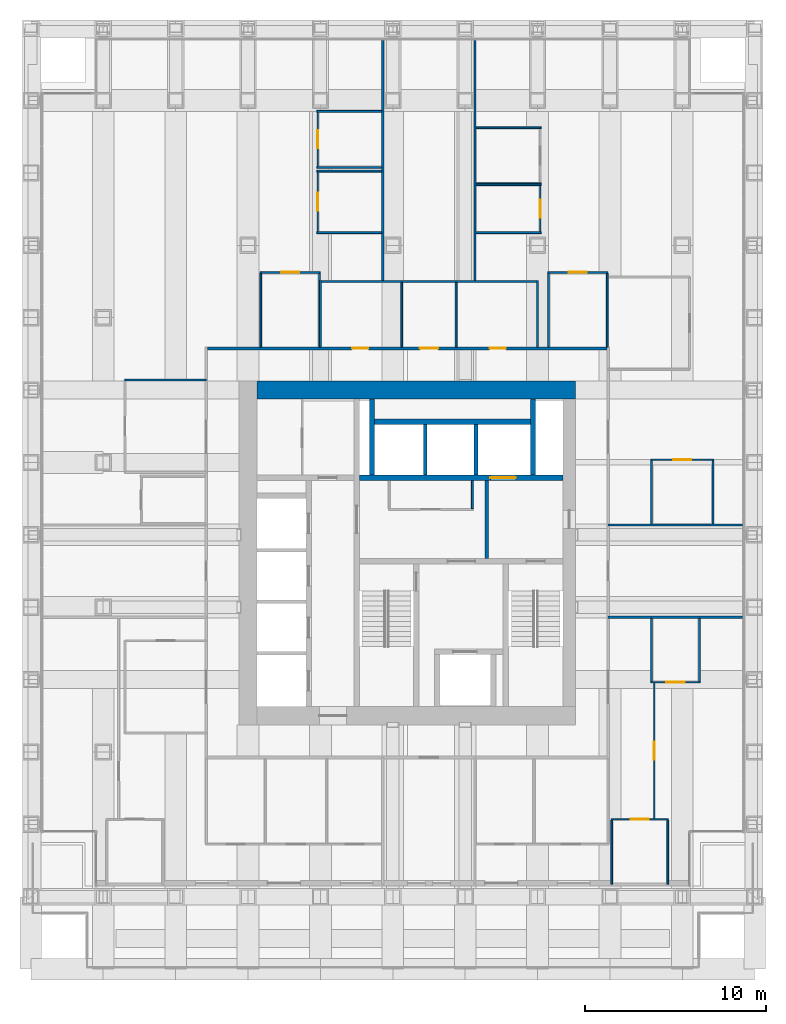
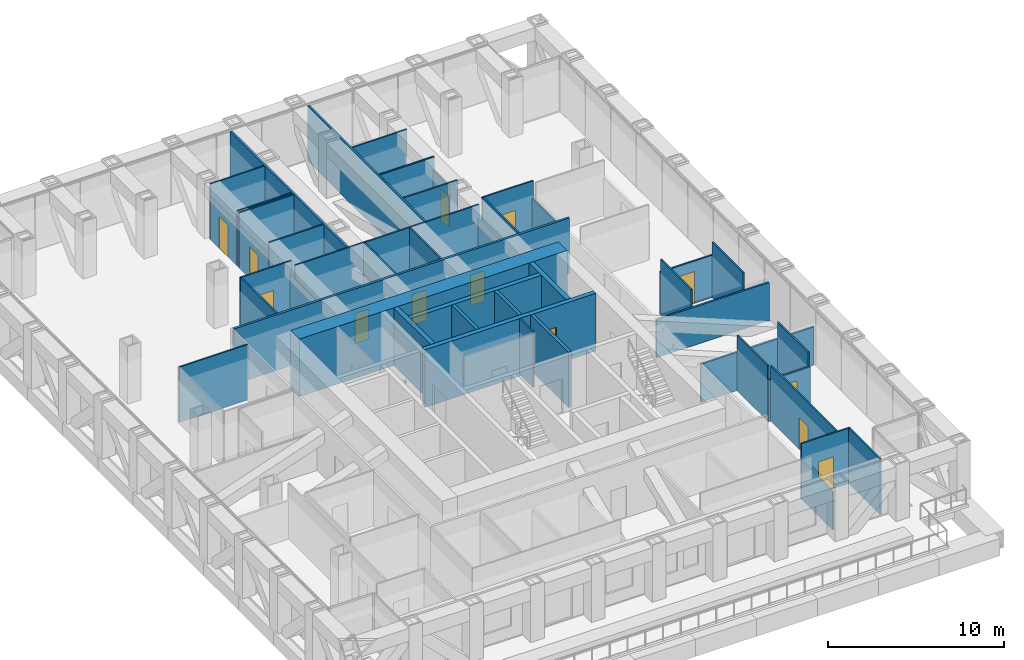
# One storey, part 12 of 16: 47 walls, 13 doors, 13 openings.
"""IFC4 building model written with IfcOpenShell, lengths in metres."""

from ifc_helpers import new_model, si_unit, direction, frame, frame_2d, origin, place, context, subcontext, project, spatial, rectangle, extrude, material, layer, layer_set, type_object, element, fill, save


model = new_model("IFC4")

# Units and contexts
model_context = context("Model", 3, precision=1e-05, world=origin(), true_north=direction((0.0, 1.0)))
body_context = subcontext(model_context, "Body", "Model", "MODEL_VIEW")
ifc_project = project(units=[si_unit("LENGTHUNIT", "METRE"), si_unit("AREAUNIT", "SQUARE_METRE"), si_unit("VOLUMEUNIT", "CUBIC_METRE"), si_unit("PLANEANGLEUNIT", "RADIAN"), si_unit("MASSUNIT", "GRAM", prefix="KILO")], contexts=[model_context])

# Site, building, storey
site_placement = place(None, origin())
site = spatial("IfcSite", under=ifc_project, at=site_placement, CompositionType="ELEMENT")
building_placement = place(site_placement, origin())
building = spatial("IfcBuilding", under=site, at=building_placement, Name="Rimbunsela Tower", CompositionType="ELEMENT")
storey_placement = place(building_placement, frame((0.0, 0.0, 171.800048828125)))
storey = spatial("IfcBuildingStorey", under=building, at=storey_placement, Name="L41", CompositionType="ELEMENT", Elevation=171.800048828125)

# Wall, opening, door
ifc_material_1 = material(Name="Concrete fc' 80 MPa", Category="concrete")
ifc_layer_1 = layer(ifc_material_1, 0.300048828125)
ifc_layer_set_1 = layer_set([ifc_layer_1], Name="Core internal wall 300")
wall_type_1 = type_object("IfcWallType", Name="Core internal wall 300", PredefinedType="SHEAR", material=ifc_layer_set_1)
wall_1_placement = place(storey_placement, frame((24.14990234375, 31.14990234375, -0.150146484375), z_axis=(0.0, 0.0, 1.0), x_axis=(1.0, 0.0, 0.0)))
wall_1 = element("IfcWall", 1, at=wall_1_placement, inside=storey, type_object=wall_type_1, Name="Lift shaft front north", PredefinedType="SHEAR", context=body_context, shape_type="SweptSolid", body=[
    extrude(rectangle(XDim=11.25, YDim=0.300048828125, at=frame_2d((5.625, 0.0))), origin(), (0.0, 0.0, 1.0), 4.0),
])
opening_1_placement = place(wall_1_placement, frame((7.25, 0.0, 0.14990234375)))
opening_1 = element("IfcOpeningElement", 2, at=opening_1_placement, cuts=wall_1, Name="Opening LD3", PredefinedType="OPENING", context=body_context, shape_type="SweptSolid", body=[
    extrude(rectangle(XDim=1.39990234375, YDim=2.39990234375, at=frame_2d((0.699951171875, 1.199951171875))), frame((0.0, 0.159912109375, 0.0), z_axis=(0.0, -1.0, 0.0), x_axis=(1.0, 0.0, 0.0)), (0.0, 0.0, 1.0), 0.320068359375),
])
ifc_material_2 = material(Name="Steel door, fire rated", Category="steel")
door_type_1 = type_object("IfcDoorType", Name="Lift landing door 1400", OperationType="DOUBLE_DOOR_SLIDING", PredefinedType="DOOR", material=ifc_material_2)
door_1_placement = place(opening_1_placement, origin())
door_1 = element("IfcDoor", 3, at=door_1_placement, inside=storey, type_object=door_type_1, Name="Lift landing door FL2", OperationType="DOUBLE_DOOR_SLIDING", OverallHeight=2.39990234375, OverallWidth=1.39990234375, PredefinedType="DOOR", context=body_context, shape_type="SweptSolid", body=[
    extrude(rectangle(XDim=1.39990234375, YDim=2.39990234375, at=frame_2d((0.699951171875, 1.199951171875))), frame((0.0, 0.02490234375, 0.0), z_axis=(0.0, -1.0, 0.0), x_axis=(1.0, 0.0, 0.0)), (0.0, 0.0, 1.0), 0.050048828125),
])
fill(opening_1, door_1)

# Walls
for number, where, z_axis, x_axis, name in (
    (4, (24.85009765625, 31.300048828125, -0.150146484375), (0.0, 0.0, 1.0), (0.0, 1.0, 0.0), "Riser wall"),
    (5, (33.75, 31.300048828125, -0.150146484375), (0.0, 0.0, 1.0), (0.0, 1.0, 0.0), "Riser wall"),
):
    element("IfcWall", number, at=place(storey_placement, frame(where, z_axis=z_axis, x_axis=x_axis)), inside=storey, type_object=wall_type_1, Name=name, PredefinedType="SHEAR", context=body_context, shape_type="SweptSolid", body=[
        extrude(rectangle(XDim=4.199951171875, YDim=0.300048828125, at=frame_2d((2.10009765625, 0.0))), origin(), (0.0, 0.0, 1.0), 4.0),
    ])
wall_2_placement = place(storey_placement, frame((25.0, 34.25, -0.150146484375), z_axis=(0.0, 0.0, 1.0), x_axis=(1.0, 0.0, 0.0)))
element("IfcWall", 6, at=wall_2_placement, inside=storey, type_object=wall_type_1, Name="Lift shaft rear north", PredefinedType="SHEAR", context=body_context, shape_type="SweptSolid", body=[
    extrude(rectangle(XDim=8.60009765625, YDim=0.300048828125, at=frame_2d((4.300048828125, 0.0))), origin(), (0.0, 0.0, 1.0), 4.0),
])
ifc_material_3 = material(Name="Concrete blockwork", Category="masonry")
ifc_layer_2 = layer(ifc_material_3, 0.10009765625)
ifc_layer_set_2 = layer_set([ifc_layer_2], Name="Core room partition 100")
wall_type_2 = type_object("IfcWallType", Name="Core room partition 100", PredefinedType="PARTITIONING", material=ifc_layer_set_2)
wall_3_placement = place(storey_placement, frame((30.39990234375, 29.449951171875, 0.0), z_axis=(0.0, 0.0, 1.0), x_axis=(0.0, 1.0, 0.0)))
element("IfcWall", 7, at=wall_3_placement, inside=storey, type_object=wall_type_2, Name="Lobby room wall", PredefinedType="PARTITIONING", context=body_context, shape_type="SweptSolid", body=[
    extrude(rectangle(XDim=1.550048828125, YDim=0.10009765625, at=frame_2d((0.77490234375, 0.0))), origin(), (0.0, 0.0, 1.0), 3.849853515625),
])
ifc_material_4 = material(Name="Concrete fc' 80 MPa", Category="concrete")
ifc_layer_3 = layer(ifc_material_4, 1.0)
ifc_layer_set_3 = layer_set([ifc_layer_3], Name="Core wall 1000")
wall_type_3 = type_object("IfcWallType", Name="Core wall 1000", PredefinedType="SHEAR", material=ifc_layer_set_3)
wall_4_placement = place(storey_placement, frame((18.5, 36.0, -0.150146484375), z_axis=(0.0, 0.0, 1.0), x_axis=(1.0, 0.0, 0.0)))
element("IfcWall", 8, at=wall_4_placement, inside=storey, type_object=wall_type_3, Name="Core wall north", PredefinedType="SHEAR", context=body_context, shape_type="SweptSolid", body=[
    extrude(rectangle(XDim=17.60009765625, YDim=1.0, at=frame_2d((8.800048828125, 0.0))), origin(), (0.0, 0.0, 1.0), 4.0),
])
ifc_material_5 = material(Name="Concrete blockwork", Category="masonry")
ifc_layer_4 = layer(ifc_material_5, 0.199951171875)
ifc_layer_set_4 = layer_set([ifc_layer_4], Name="Lift shaft wall 200")
wall_type_4 = type_object("IfcWallType", Name="Lift shaft wall 200", PredefinedType="SOLIDWALL", material=ifc_layer_set_4)
for number, where, z_axis, x_axis, name in (
    (9, (27.800048828125, 31.300048828125, -0.150146484375), (0.0, 0.0, 1.0), (0.0, 1.0, 0.0), "Lift shaft separation"),
    (10, (30.60009765625, 31.300048828125, -0.150146484375), (0.0, 0.0, 1.0), (0.0, 1.0, 0.0), "Lift shaft separation"),
):
    element("IfcWall", number, at=place(storey_placement, frame(where, z_axis=z_axis, x_axis=x_axis)), inside=storey, type_object=wall_type_4, Name=name, PredefinedType="SOLIDWALL", context=body_context, shape_type="SweptSolid", body=[
        extrude(rectangle(XDim=2.800048828125, YDim=0.199951171875, at=frame_2d((1.39990234375, 0.0))), origin(), (0.0, 0.0, 1.0), 4.0),
    ])
wall_5_placement = place(storey_placement, frame((31.199951171875, 26.699951171875, 0.0), z_axis=(0.0, 0.0, 1.0), x_axis=(0.0, 1.0, 0.0)))
element("IfcWall", 11, at=wall_5_placement, inside=storey, type_object=wall_type_4, Name="Firefighting lobby 2 wall", PredefinedType="SOLIDWALL", context=body_context, shape_type="SweptSolid", body=[
    extrude(rectangle(XDim=4.300048828125, YDim=0.199951171875, at=frame_2d((2.14990234375, 0.0))), origin(), (0.0, 0.0, 1.0), 3.849853515625),
])

# Wall, opening, door
ifc_material_6 = material(Name="Gypsum board on steel studs", Category="steel")
ifc_layer_5 = layer(ifc_material_6, 0.10009765625)
ifc_layer_set_5 = layer_set([ifc_layer_5], Name="Office partition 100")
wall_type_5 = type_object("IfcWallType", Name="Office partition 100", PredefinedType="PARTITIONING", material=ifc_layer_set_5)
wall_6_placement = place(storey_placement, frame((38.050048828125, 12.280029296875, 0.0), z_axis=(0.0, 0.0, 1.0), x_axis=(1.0, 0.0, 0.0)))
wall_6 = element("IfcWall", 12, at=wall_6_placement, inside=storey, type_object=wall_type_5, Name="Office partition", PredefinedType="PARTITIONING", context=body_context, shape_type="SweptSolid", body=[
    extrude(rectangle(XDim=3.199951171875, YDim=0.10009765625, at=frame_2d((1.60009765625, 0.0))), origin(), (0.0, 0.0, 1.0), 3.849853515625),
])
opening_2_placement = place(wall_6_placement, frame((1.10009765625, 0.0, 0.0)))
opening_2 = element("IfcOpeningElement", 13, at=opening_2_placement, cuts=wall_6, Name="Opening D16", PredefinedType="OPENING", context=body_context, shape_type="SweptSolid", body=[
    extrude(rectangle(XDim=1.0, YDim=2.199951171875, at=frame_2d((0.5, 1.10009765625))), frame((0.0, 0.06005859375, 0.0), z_axis=(0.0, -1.0, 0.0), x_axis=(1.0, 0.0, 0.0)), (0.0, 0.0, 1.0), 0.1201171875),
])
ifc_material_7 = material(Name="Timber door", Category="wood")
door_type_2 = type_object("IfcDoorType", Name="Office door 1000", OperationType="SINGLE_SWING_LEFT", PredefinedType="DOOR", material=ifc_material_7)
door_2_placement = place(opening_2_placement, origin())
door_2 = element("IfcDoor", 14, at=door_2_placement, inside=storey, type_object=door_type_2, Name="Office door", OperationType="SINGLE_SWING_LEFT", OverallHeight=2.199951171875, OverallWidth=1.0, PredefinedType="DOOR", context=body_context, shape_type="SweptSolid", body=[
    extrude(rectangle(XDim=1.0, YDim=2.199951171875, at=frame_2d((0.5, 1.10009765625))), frame((0.0, 0.02490234375, 0.0), z_axis=(0.0, -1.0, 0.0), x_axis=(1.0, 0.0, 0.0)), (0.0, 0.0, 1.0), 0.050048828125),
])
fill(opening_2, door_2)

wall_7_placement = place(storey_placement, frame((40.25, 19.85009765625, 0.0), z_axis=(0.0, 0.0, 1.0), x_axis=(1.0, 0.0, 0.0)))
wall_7 = element("IfcWall", 15, at=wall_7_placement, inside=storey, type_object=wall_type_5, Name="Office partition", PredefinedType="PARTITIONING", context=body_context, shape_type="SweptSolid", body=[
    extrude(rectangle(XDim=2.75, YDim=0.10009765625, at=frame_2d((1.375, 0.0))), origin(), (0.0, 0.0, 1.0), 2.849853515625),
])
opening_3_placement = place(wall_7_placement, frame((0.875, 0.0, 0.0)))
opening_3 = element("IfcOpeningElement", 16, at=opening_3_placement, cuts=wall_7, Name="Opening D16", PredefinedType="OPENING", context=body_context, shape_type="SweptSolid", body=[
    extrude(rectangle(XDim=1.0, YDim=2.199951171875, at=frame_2d((0.5, 1.10009765625))), frame((0.0, 0.06005859375, 0.0), z_axis=(0.0, -1.0, 0.0), x_axis=(1.0, 0.0, 0.0)), (0.0, 0.0, 1.0), 0.1201171875),
])
door_3_placement = place(opening_3_placement, origin())
door_3 = element("IfcDoor", 17, at=door_3_placement, inside=storey, type_object=door_type_2, Name="Office door", OperationType="SINGLE_SWING_LEFT", OverallHeight=2.199951171875, OverallWidth=1.0, PredefinedType="DOOR", context=body_context, shape_type="SweptSolid", body=[
    extrude(rectangle(XDim=1.0, YDim=2.199951171875, at=frame_2d((0.5, 1.10009765625))), frame((0.0, 0.02490234375, 0.0), z_axis=(0.0, -1.0, 0.0), x_axis=(1.0, 0.0, 0.0)), (0.0, 0.0, 1.0), 0.050048828125),
])
fill(opening_3, door_3)

wall_8_placement = place(storey_placement, frame((40.25, 32.14990234375, 0.0), z_axis=(0.0, 0.0, 1.0), x_axis=(1.0, 0.0, 0.0)))
wall_8 = element("IfcWall", 18, at=wall_8_placement, inside=storey, type_object=wall_type_5, Name="Office partition", PredefinedType="PARTITIONING", context=body_context, shape_type="SweptSolid", body=[
    extrude(rectangle(XDim=3.5, YDim=0.10009765625, at=frame_2d((1.75, 0.0))), origin(), (0.0, 0.0, 1.0), 2.949951171875),
])
opening_4_placement = place(wall_8_placement, frame((1.25, 0.0, 0.0)))
opening_4 = element("IfcOpeningElement", 19, at=opening_4_placement, cuts=wall_8, Name="Opening D16", PredefinedType="OPENING", context=body_context, shape_type="SweptSolid", body=[
    extrude(rectangle(XDim=1.0, YDim=2.199951171875, at=frame_2d((0.5, 1.10009765625))), frame((0.0, 0.06005859375, 0.0), z_axis=(0.0, -1.0, 0.0), x_axis=(1.0, 0.0, 0.0)), (0.0, 0.0, 1.0), 0.1201171875),
])
door_4_placement = place(opening_4_placement, origin())
door_4 = element("IfcDoor", 20, at=door_4_placement, inside=storey, type_object=door_type_2, Name="Office door", OperationType="SINGLE_SWING_LEFT", OverallHeight=2.199951171875, OverallWidth=1.0, PredefinedType="DOOR", context=body_context, shape_type="SweptSolid", body=[
    extrude(rectangle(XDim=1.0, YDim=2.199951171875, at=frame_2d((0.5, 1.10009765625))), frame((0.0, 0.02490234375, 0.0), z_axis=(0.0, -1.0, 0.0), x_axis=(1.0, 0.0, 0.0)), (0.0, 0.0, 1.0), 0.050048828125),
])
fill(opening_4, door_4)

wall_9_placement = place(storey_placement, frame((18.64990234375, 42.5, 0.0), z_axis=(0.0, 0.0, 1.0), x_axis=(1.0, 0.0, 0.0)))
wall_9 = element("IfcWall", 21, at=wall_9_placement, inside=storey, type_object=wall_type_5, Name="Office partition", PredefinedType="PARTITIONING", context=body_context, shape_type="SweptSolid", body=[
    extrude(rectangle(XDim=3.35009765625, YDim=0.10009765625, at=frame_2d((1.675048828125, 0.0))), origin(), (0.0, 0.0, 1.0), 3.849853515625),
])
opening_5_placement = place(wall_9_placement, frame((1.175048828125, 0.0, 0.0)))
opening_5 = element("IfcOpeningElement", 22, at=opening_5_placement, cuts=wall_9, Name="Opening D16", PredefinedType="OPENING", context=body_context, shape_type="SweptSolid", body=[
    extrude(rectangle(XDim=1.0, YDim=2.199951171875, at=frame_2d((0.5, 1.10009765625))), frame((0.0, 0.06005859375, 0.0), z_axis=(0.0, -1.0, 0.0), x_axis=(1.0, 0.0, 0.0)), (0.0, 0.0, 1.0), 0.1201171875),
])
door_5_placement = place(opening_5_placement, origin())
door_5 = element("IfcDoor", 23, at=door_5_placement, inside=storey, type_object=door_type_2, Name="Office door", OperationType="SINGLE_SWING_LEFT", OverallHeight=2.199951171875, OverallWidth=1.0, PredefinedType="DOOR", context=body_context, shape_type="SweptSolid", body=[
    extrude(rectangle(XDim=1.0, YDim=2.199951171875, at=frame_2d((0.5, 1.10009765625))), frame((0.0, 0.02490234375, 0.0), z_axis=(0.0, -1.0, 0.0), x_axis=(1.0, 0.0, 0.0)), (0.0, 0.0, 1.0), 0.050048828125),
])
fill(opening_5, door_5)

wall_10_placement = place(storey_placement, frame((34.550048828125, 42.5, 0.0), z_axis=(0.0, 0.0, 1.0), x_axis=(1.0, 0.0, 0.0)))
wall_10 = element("IfcWall", 24, at=wall_10_placement, inside=storey, type_object=wall_type_5, Name="Office partition", PredefinedType="PARTITIONING", context=body_context, shape_type="SweptSolid", body=[
    extrude(rectangle(XDim=3.349853515625, YDim=0.10009765625, at=frame_2d((1.6748046875, 0.0))), origin(), (0.0, 0.0, 1.0), 3.849853515625),
])
opening_6_placement = place(wall_10_placement, frame((1.175048828125, 0.0, 0.0)))
opening_6 = element("IfcOpeningElement", 25, at=opening_6_placement, cuts=wall_10, Name="Opening D16", PredefinedType="OPENING", context=body_context, shape_type="SweptSolid", body=[
    extrude(rectangle(XDim=1.0, YDim=2.199951171875, at=frame_2d((0.5, 1.10009765625))), frame((0.0, 0.06005859375, 0.0), z_axis=(0.0, -1.0, 0.0), x_axis=(1.0, 0.0, 0.0)), (0.0, 0.0, 1.0), 0.1201171875),
])
door_6_placement = place(opening_6_placement, origin())
door_6 = element("IfcDoor", 26, at=door_6_placement, inside=storey, type_object=door_type_2, Name="Office door", OperationType="SINGLE_SWING_LEFT", OverallHeight=2.199951171875, OverallWidth=1.0, PredefinedType="DOOR", context=body_context, shape_type="SweptSolid", body=[
    extrude(rectangle(XDim=1.0, YDim=2.199951171875, at=frame_2d((0.5, 1.10009765625))), frame((0.0, 0.02490234375, 0.0), z_axis=(0.0, -1.0, 0.0), x_axis=(1.0, 0.0, 0.0)), (0.0, 0.0, 1.0), 0.050048828125),
])
fill(opening_6, door_6)

# Walls
for number, where, z_axis, x_axis, name in (
    (27, (21.800048828125, 44.699951171875, 0.0), (0.0, 0.0, 1.0), (1.0, 0.0, 0.0), "Office partition"),
    (28, (30.610107421875, 44.699951171875, 0.0), (0.0, 0.0, 1.0), (1.0, 0.0, 0.0), "Office partition"),
    (29, (30.610107421875, 47.35009765625, 0.0), (0.0, 0.0, 1.0), (1.0, 0.0, 0.0), "Office partition"),
    (30, (30.610107421875, 47.39990234375, 0.0), (0.0, 0.0, 1.0), (1.0, 0.0, 0.0), "Office partition"),
    (31, (21.800048828125, 48.10009765625, 0.0), (0.0, 0.0, 1.0), (1.0, 0.0, 0.0), "Office partition"),
    (32, (21.800048828125, 48.300048828125, 0.0), (0.0, 0.0, 1.0), (1.0, 0.0, 0.0), "Office partition"),
    (33, (30.610107421875, 50.5, 0.0), (0.0, 0.0, 1.0), (1.0, 0.0, 0.0), "Office partition"),
    (34, (21.800048828125, 51.39990234375, 0.0), (0.0, 0.0, 1.0), (1.0, 0.0, 0.0), "Office partition"),
):
    element("IfcWall", number, at=place(storey_placement, frame(where, z_axis=z_axis, x_axis=x_axis)), inside=storey, type_object=wall_type_5, Name=name, PredefinedType="PARTITIONING", context=body_context, shape_type="SweptSolid", body=[
        extrude(rectangle(XDim=3.58984375, YDim=0.10009765625, at=frame_2d((1.794921875, 0.0))), origin(), (0.0, 0.0, 1.0), 3.849853515625),
    ])
wall_11_placement = place(storey_placement, frame((18.699951171875, 38.375, 0.0), z_axis=(0.0, 0.0, 1.0), x_axis=(0.0, 1.0, 0.0)))
element("IfcWall", 35, at=wall_11_placement, inside=storey, type_object=wall_type_5, Name="Office partition", PredefinedType="PARTITIONING", context=body_context, shape_type="SweptSolid", body=[
    extrude(rectangle(XDim=4.074951171875, YDim=0.10009765625, at=frame_2d((2.03759765625, 0.0))), origin(), (0.0, 0.0, 1.0), 3.849853515625),
])

# Wall, opening, door
wall_12_placement = place(storey_placement, frame((21.85009765625, 44.75, 0.0), z_axis=(0.0, 0.0, 1.0), x_axis=(0.0, 1.0, 0.0)))
wall_12 = element("IfcWall", 36, at=wall_12_placement, inside=storey, type_object=wall_type_5, Name="Office partition", PredefinedType="PARTITIONING", context=body_context, shape_type="SweptSolid", body=[
    extrude(rectangle(XDim=3.300048828125, YDim=0.10009765625, at=frame_2d((1.64990234375, 0.0))), origin(), (0.0, 0.0, 1.0), 2.949951171875),
])
opening_7_placement = place(wall_12_placement, frame((1.14990234375, 0.0, 0.0)))
opening_7 = element("IfcOpeningElement", 37, at=opening_7_placement, cuts=wall_12, Name="Opening D16", PredefinedType="OPENING", context=body_context, shape_type="SweptSolid", body=[
    extrude(rectangle(XDim=1.0, YDim=2.199951171875, at=frame_2d((0.5, 1.10009765625))), frame((0.0, 0.06005859375, 0.0), z_axis=(0.0, -1.0, 0.0), x_axis=(1.0, 0.0, 0.0)), (0.0, 0.0, 1.0), 0.1201171875),
])
door_7_placement = place(opening_7_placement, origin())
door_7 = element("IfcDoor", 38, at=door_7_placement, inside=storey, type_object=door_type_2, Name="Office door", OperationType="SINGLE_SWING_LEFT", OverallHeight=2.199951171875, OverallWidth=1.0, PredefinedType="DOOR", context=body_context, shape_type="SweptSolid", body=[
    extrude(rectangle(XDim=1.0, YDim=2.199951171875, at=frame_2d((0.5, 1.10009765625))), frame((0.0, 0.02490234375, 0.0), z_axis=(0.0, -1.0, 0.0), x_axis=(1.0, 0.0, 0.0)), (0.0, 0.0, 1.0), 0.050048828125),
])
fill(opening_7, door_7)

wall_13_placement = place(storey_placement, frame((21.85009765625, 48.35009765625, 0.0), z_axis=(0.0, 0.0, 1.0), x_axis=(0.0, 1.0, 0.0)))
wall_13 = element("IfcWall", 39, at=wall_13_placement, inside=storey, type_object=wall_type_5, Name="Office partition", PredefinedType="PARTITIONING", context=body_context, shape_type="SweptSolid", body=[
    extrude(rectangle(XDim=3.0, YDim=0.10009765625, at=frame_2d((1.5, 0.0))), origin(), (0.0, 0.0, 1.0), 2.949951171875),
])
opening_8_placement = place(wall_13_placement, frame((1.0, 0.0, 0.0)))
opening_8 = element("IfcOpeningElement", 40, at=opening_8_placement, cuts=wall_13, Name="Opening D16", PredefinedType="OPENING", context=body_context, shape_type="SweptSolid", body=[
    extrude(rectangle(XDim=1.0, YDim=2.199951171875, at=frame_2d((0.5, 1.10009765625))), frame((0.0, 0.06005859375, 0.0), z_axis=(0.0, -1.0, 0.0), x_axis=(1.0, 0.0, 0.0)), (0.0, 0.0, 1.0), 0.1201171875),
])
door_8_placement = place(opening_8_placement, origin())
door_8 = element("IfcDoor", 41, at=door_8_placement, inside=storey, type_object=door_type_2, Name="Office door", OperationType="SINGLE_SWING_LEFT", OverallHeight=2.199951171875, OverallWidth=1.0, PredefinedType="DOOR", context=body_context, shape_type="SweptSolid", body=[
    extrude(rectangle(XDim=1.0, YDim=2.199951171875, at=frame_2d((0.5, 1.10009765625))), frame((0.0, 0.02490234375, 0.0), z_axis=(0.0, -1.0, 0.0), x_axis=(1.0, 0.0, 0.0)), (0.0, 0.0, 1.0), 0.050048828125),
])
fill(opening_8, door_8)

# Wall
wall_14_placement = place(storey_placement, frame((21.949951171875, 38.375, 0.0), z_axis=(0.0, 0.0, 1.0), x_axis=(0.0, 1.0, 0.0)))
element("IfcWall", 42, at=wall_14_placement, inside=storey, type_object=wall_type_5, Name="Office partition", PredefinedType="PARTITIONING", context=body_context, shape_type="SweptSolid", body=[
    extrude(rectangle(XDim=4.074951171875, YDim=0.10009765625, at=frame_2d((2.03759765625, 0.0))), origin(), (0.0, 0.0, 1.0), 2.949951171875),
])

# Wall, opening, door
wall_15_placement = place(storey_placement, frame((34.14990234375, 44.75, 0.0), z_axis=(0.0, 0.0, 1.0), x_axis=(0.0, 1.0, 0.0)))
wall_15 = element("IfcWall", 43, at=wall_15_placement, inside=storey, type_object=wall_type_5, Name="Office partition", PredefinedType="PARTITIONING", context=body_context, shape_type="SweptSolid", body=[
    extrude(rectangle(XDim=2.550048828125, YDim=0.10009765625, at=frame_2d((1.27490234375, 0.0))), origin(), (0.0, 0.0, 1.0), 2.949951171875),
])
opening_9_placement = place(wall_15_placement, frame((0.77490234375, 0.0, 0.0)))
opening_9 = element("IfcOpeningElement", 44, at=opening_9_placement, cuts=wall_15, Name="Opening D16", PredefinedType="OPENING", context=body_context, shape_type="SweptSolid", body=[
    extrude(rectangle(XDim=1.0, YDim=2.199951171875, at=frame_2d((0.5, 1.10009765625))), frame((0.0, 0.06005859375, 0.0), z_axis=(0.0, -1.0, 0.0), x_axis=(1.0, 0.0, 0.0)), (0.0, 0.0, 1.0), 0.1201171875),
])
door_9_placement = place(opening_9_placement, origin())
door_9 = element("IfcDoor", 45, at=door_9_placement, inside=storey, type_object=door_type_2, Name="Office door", OperationType="SINGLE_SWING_LEFT", OverallHeight=2.199951171875, OverallWidth=1.0, PredefinedType="DOOR", context=body_context, shape_type="SweptSolid", body=[
    extrude(rectangle(XDim=1.0, YDim=2.199951171875, at=frame_2d((0.5, 1.10009765625))), frame((0.0, 0.02490234375, 0.0), z_axis=(0.0, -1.0, 0.0), x_axis=(1.0, 0.0, 0.0)), (0.0, 0.0, 1.0), 0.050048828125),
])
fill(opening_9, door_9)

# Walls
wall_16_placement = place(storey_placement, frame((34.60009765625, 38.375, 0.0), z_axis=(0.0, 0.0, 1.0), x_axis=(0.0, 1.0, 0.0)))
element("IfcWall", 46, at=wall_16_placement, inside=storey, type_object=wall_type_5, Name="Office partition", PredefinedType="PARTITIONING", context=body_context, shape_type="SweptSolid", body=[
    extrude(rectangle(XDim=4.074951171875, YDim=0.10009765625, at=frame_2d((2.03759765625, 0.0))), origin(), (0.0, 0.0, 1.0), 3.849853515625),
])
wall_17_placement = place(storey_placement, frame((37.85009765625, 38.375, 0.0), z_axis=(0.0, 0.0, 1.0), x_axis=(0.0, 1.0, 0.0)))
element("IfcWall", 47, at=wall_17_placement, inside=storey, type_object=wall_type_5, Name="Office partition", PredefinedType="PARTITIONING", context=body_context, shape_type="SweptSolid", body=[
    extrude(rectangle(XDim=4.074951171875, YDim=0.10009765625, at=frame_2d((2.03759765625, 0.0))), origin(), (0.0, 0.0, 1.0), 2.64990234375),
])
wall_18_placement = place(storey_placement, frame((38.10009765625, 8.679931640625, 0.0), z_axis=(0.0, 0.0, 1.0), x_axis=(0.0, 1.0, 0.0)))
element("IfcWall", 48, at=wall_18_placement, inside=storey, type_object=wall_type_5, Name="Office partition", PredefinedType="PARTITIONING", context=body_context, shape_type="SweptSolid", body=[
    extrude(rectangle(XDim=3.550048828125, YDim=0.10009765625, at=frame_2d((1.77490234375, 0.0))), origin(), (0.0, 0.0, 1.0), 2.64990234375),
])
for number, where, z_axis, x_axis, name in (
    (49, (40.300048828125, 19.89990234375, 0.0), (0.0, 0.0, 1.0), (0.0, 1.0, 0.0), "Office partition"),
    (50, (40.300048828125, 28.610107421875, 0.0), (0.0, 0.0, 1.0), (0.0, 1.0, 0.0), "Office partition"),
):
    element("IfcWall", number, at=place(storey_placement, frame(where, z_axis=z_axis, x_axis=x_axis)), inside=storey, type_object=wall_type_5, Name=name, PredefinedType="PARTITIONING", context=body_context, shape_type="SweptSolid", body=[
        extrude(rectangle(XDim=3.489990234375, YDim=0.10009765625, at=frame_2d((1.7451171875, 0.0))), origin(), (0.0, 0.0, 1.0), 3.849853515625),
    ])
wall_19_placement = place(storey_placement, frame((41.199951171875, 8.679931640625, 0.0), z_axis=(0.0, 0.0, 1.0), x_axis=(0.0, 1.0, 0.0)))
element("IfcWall", 51, at=wall_19_placement, inside=storey, type_object=wall_type_5, Name="Office partition", PredefinedType="PARTITIONING", context=body_context, shape_type="SweptSolid", body=[
    extrude(rectangle(XDim=3.550048828125, YDim=0.10009765625, at=frame_2d((1.77490234375, 0.0))), origin(), (0.0, 0.0, 1.0), 3.849853515625),
])
for number, where, z_axis, x_axis, name in (
    (52, (42.949951171875, 19.89990234375, 0.0), (0.0, 0.0, 1.0), (0.0, 1.0, 0.0), "Office partition"),
    (53, (43.699951171875, 28.610107421875, 0.0), (0.0, 0.0, 1.0), (0.0, 1.0, 0.0), "Office partition"),
):
    element("IfcWall", number, at=place(storey_placement, frame(where, z_axis=z_axis, x_axis=x_axis)), inside=storey, type_object=wall_type_5, Name=name, PredefinedType="PARTITIONING", context=body_context, shape_type="SweptSolid", body=[
        extrude(rectangle(XDim=3.489990234375, YDim=0.10009765625, at=frame_2d((1.7451171875, 0.0))), origin(), (0.0, 0.0, 1.0), 3.849853515625),
    ])
wall_20_placement = place(storey_placement, frame((15.699951171875, 36.551025390625, 0.0), z_axis=(0.0, 0.0, 1.0), x_axis=(-1.0, 0.0, 0.0)))
element("IfcWall", 54, at=wall_20_placement, inside=storey, type_object=wall_type_5, Name="Office partition", PredefinedType="PARTITIONING", context=body_context, shape_type="SweptSolid", body=[
    extrude(rectangle(XDim=4.5, YDim=0.10009765625, at=frame_2d((2.25, 0.0))), origin(), (0.0, 0.0, 1.0), 3.849853515625),
])

# Wall, opening, door
wall_21_placement = place(storey_placement, frame((40.449951171875, 12.330078125, 0.0), z_axis=(0.0, 0.0, 1.0), x_axis=(0.0, 1.0, 0.0)))
wall_21 = element("IfcWall", 55, at=wall_21_placement, inside=storey, type_object=wall_type_5, Name="Office partition", PredefinedType="PARTITIONING", context=body_context, shape_type="SweptSolid", body=[
    extrude(rectangle(XDim=7.469970703125, YDim=0.10009765625, at=frame_2d((3.73486328125, 0.0))), origin(), (0.0, 0.0, 1.0), 3.849853515625),
])
opening_10_placement = place(wall_21_placement, frame((3.235107421875, 0.0, 0.0)))
opening_10 = element("IfcOpeningElement", 56, at=opening_10_placement, cuts=wall_21, Name="Opening D17", PredefinedType="OPENING", context=body_context, shape_type="SweptSolid", body=[
    extrude(rectangle(XDim=1.0, YDim=2.199951171875, at=frame_2d((0.5, 1.10009765625))), frame((0.0, 0.06005859375, 0.0), z_axis=(0.0, -1.0, 0.0), x_axis=(1.0, 0.0, 0.0)), (0.0, 0.0, 1.0), 0.1201171875),
])
ifc_material_8 = material(Name="Glazed aluminium door", Category="aluminium")
door_type_3 = type_object("IfcDoorType", Name="Meeting room door 1000 glazed", OperationType="SINGLE_SWING_RIGHT", PredefinedType="DOOR", material=ifc_material_8)
door_10_placement = place(opening_10_placement, origin())
door_10 = element("IfcDoor", 57, at=door_10_placement, inside=storey, type_object=door_type_3, Name="Open office screen door", OperationType="SINGLE_SWING_RIGHT", OverallHeight=2.199951171875, OverallWidth=1.0, PredefinedType="DOOR", context=body_context, shape_type="SweptSolid", body=[
    extrude(rectangle(XDim=1.0, YDim=2.199951171875, at=frame_2d((0.5, 1.10009765625))), frame((0.0, 0.02490234375, 0.0), z_axis=(0.0, -1.0, 0.0), x_axis=(1.0, 0.0, 0.0)), (0.0, 0.0, 1.0), 0.050048828125),
])
fill(opening_10, door_10)

# Wall, openings, doors
ifc_material_9 = material(Name="Fire-rated gypsum board on steel studs, EI 60", Category="steel")
ifc_layer_6 = layer(ifc_material_9, 0.14990234375)
ifc_layer_set_6 = layer_set([ifc_layer_6], Name="Rated corridor wall 150")
wall_type_6 = type_object("IfcWallType", Name="Rated corridor wall 150", PredefinedType="PARTITIONING", material=ifc_layer_set_6)
wall_22_placement = place(storey_placement, frame((15.77490234375, 38.300048828125, 0.0), z_axis=(0.0, 0.0, 1.0), x_axis=(1.0, 0.0, 0.0)))
wall_22 = element("IfcWall", 58, at=wall_22_placement, inside=storey, type_object=wall_type_6, Name="Corridor wall north", PredefinedType="PARTITIONING", context=body_context, shape_type="SweptSolid", body=[
    extrude(rectangle(XDim=22.050048828125, YDim=0.14990234375, at=frame_2d((11.02490234375, 0.0))), origin(), (0.0, 0.0, 1.0), 3.849853515625),
])
opening_11_placement = place(wall_22_placement, frame((7.97509765625, 0.0, 0.0)))
opening_11 = element("IfcOpeningElement", 59, at=opening_11_placement, cuts=wall_22, Name="Opening D04", PredefinedType="OPENING", context=body_context, shape_type="SweptSolid", body=[
    extrude(rectangle(XDim=0.89990234375, YDim=2.10009765625, at=frame_2d((0.449951171875, 1.050048828125))), frame((0.0, 0.0849609375, 0.0), z_axis=(0.0, -1.0, 0.0), x_axis=(1.0, 0.0, 0.0)), (0.0, 0.0, 1.0), 0.169921875),
])
opening_12_placement = place(wall_22_placement, frame((11.72509765625, 0.0, 0.0)))
opening_12 = element("IfcOpeningElement", 60, at=opening_12_placement, cuts=wall_22, Name="Opening D05", PredefinedType="OPENING", context=body_context, shape_type="SweptSolid", body=[
    extrude(rectangle(XDim=1.0, YDim=2.10009765625, at=frame_2d((0.5, 1.050048828125))), frame((0.0, 0.0849609375, 0.0), z_axis=(0.0, -1.0, 0.0), x_axis=(1.0, 0.0, 0.0)), (0.0, 0.0, 1.0), 0.169921875),
])
opening_13_placement = place(wall_22_placement, frame((15.574951171875, 0.0, 0.0)))
opening_13 = element("IfcOpeningElement", 61, at=opening_13_placement, cuts=wall_22, Name="Opening D04", PredefinedType="OPENING", context=body_context, shape_type="SweptSolid", body=[
    extrude(rectangle(XDim=0.89990234375, YDim=2.10009765625, at=frame_2d((0.449951171875, 1.050048828125))), frame((0.0, 0.0849609375, 0.0), z_axis=(0.0, -1.0, 0.0), x_axis=(1.0, 0.0, 0.0)), (0.0, 0.0, 1.0), 0.169921875),
])
ifc_material_10 = material(Name="Timber door", Category="wood")
door_type_4 = type_object("IfcDoorType", Name="Accessible WC door 1000", OperationType="SLIDING_TO_LEFT", PredefinedType="DOOR", material=ifc_material_10)
door_11_placement = place(opening_12_placement, origin())
door_11 = element("IfcDoor", 62, at=door_11_placement, inside=storey, type_object=door_type_4, Name="Accessible WC door", OperationType="SLIDING_TO_LEFT", OverallHeight=2.10009765625, OverallWidth=1.0, PredefinedType="DOOR", context=body_context, shape_type="SweptSolid", body=[
    extrude(rectangle(XDim=1.0, YDim=2.10009765625, at=frame_2d((0.5, 1.050048828125))), frame((0.0, 0.02490234375, 0.0), z_axis=(0.0, -1.0, 0.0), x_axis=(1.0, 0.0, 0.0)), (0.0, 0.0, 1.0), 0.050048828125),
])
fill(opening_12, door_11)
ifc_material_11 = material(Name="Timber door", Category="wood")
door_type_5 = type_object("IfcDoorType", Name="Toilet door 900", OperationType="SINGLE_SWING_LEFT", PredefinedType="DOOR", material=ifc_material_11)
door_12_placement = place(opening_11_placement, origin())
door_12 = element("IfcDoor", 63, at=door_12_placement, inside=storey, type_object=door_type_5, Name="Female WC door", OperationType="SINGLE_SWING_LEFT", OverallHeight=2.10009765625, OverallWidth=0.89990234375, PredefinedType="DOOR", context=body_context, shape_type="SweptSolid", body=[
    extrude(rectangle(XDim=0.89990234375, YDim=2.10009765625, at=frame_2d((0.449951171875, 1.050048828125))), frame((0.0, 0.02490234375, 0.0), z_axis=(0.0, -1.0, 0.0), x_axis=(1.0, 0.0, 0.0)), (0.0, 0.0, 1.0), 0.050048828125),
])
fill(opening_11, door_12)
door_13_placement = place(opening_13_placement, origin())
door_13 = element("IfcDoor", 64, at=door_13_placement, inside=storey, type_object=door_type_5, Name="Male WC door", OperationType="SINGLE_SWING_LEFT", OverallHeight=2.10009765625, OverallWidth=0.89990234375, PredefinedType="DOOR", context=body_context, shape_type="SweptSolid", body=[
    extrude(rectangle(XDim=0.89990234375, YDim=2.10009765625, at=frame_2d((0.449951171875, 1.050048828125))), frame((0.0, 0.02490234375, 0.0), z_axis=(0.0, -1.0, 0.0), x_axis=(1.0, 0.0, 0.0)), (0.0, 0.0, 1.0), 0.050048828125),
])
fill(opening_13, door_13)

# Walls
ifc_material_12 = material(Name="Gypsum board on steel studs", Category="steel")
ifc_layer_7 = layer(ifc_material_12, 0.1201171875)
ifc_layer_set_7 = layer_set([ifc_layer_7], Name="Tenancy partition 120")
wall_type_7 = type_object("IfcWallType", Name="Tenancy partition 120", PredefinedType="PARTITIONING", material=ifc_layer_set_7)
for number, where, z_axis, x_axis, name in (
    (65, (37.89990234375, 23.449951171875, 0.0), (0.0, 0.0, 1.0), (1.0, 0.0, 0.0), "Tenancy partition"),
    (66, (37.89990234375, 28.550048828125, 0.0), (0.0, 0.0, 1.0), (1.0, 0.0, 0.0), "Tenancy partition"),
):
    element("IfcWall", number, at=place(storey_placement, frame(where, z_axis=z_axis, x_axis=x_axis)), inside=storey, type_object=wall_type_7, Name=name, PredefinedType="PARTITIONING", context=body_context, shape_type="SweptSolid", body=[
        extrude(rectangle(XDim=7.420166015625, YDim=0.1201171875, at=frame_2d((3.7099609375, 0.0))), origin(), (0.0, 0.0, 1.0), 2.64990234375),
    ])
for number, where, z_axis, x_axis, name in (
    (67, (25.449951171875, 42.0, 0.0), (0.0, 0.0, 1.0), (0.0, 1.0, 0.0), "Tenancy partition"),
    (68, (30.550048828125, 42.0, 0.0), (0.0, 0.0, 1.0), (0.0, 1.0, 0.0), "Tenancy partition"),
):
    element("IfcWall", number, at=place(storey_placement, frame(where, z_axis=z_axis, x_axis=x_axis)), inside=storey, type_object=wall_type_7, Name=name, PredefinedType="PARTITIONING", context=body_context, shape_type="SweptSolid", body=[
        extrude(rectangle(XDim=13.320068359375, YDim=0.1201171875, at=frame_2d((6.66015625, 0.0))), origin(), (0.0, 0.0, 1.0), 3.849853515625),
    ])
ifc_material_13 = material(Name="Concrete blockwork", Category="masonry")
ifc_layer_8 = layer(ifc_material_13, 0.10009765625)
ifc_layer_set_8 = layer_set([ifc_layer_8], Name="Toilet partition 100")
wall_type_8 = type_object("IfcWallType", Name="Toilet partition 100", PredefinedType="PARTITIONING", material=ifc_layer_set_8)
for number, where, z_axis, x_axis, name in (
    (69, (22.0, 38.375, 0.0), (0.0, 0.0, 1.0), (0.0, 1.0, 0.0), "Toilet block wall west"),
    (70, (34.0, 38.375, 0.0), (0.0, 0.0, 1.0), (0.0, 1.0, 0.0), "Toilet block wall east"),
):
    element("IfcWall", number, at=place(storey_placement, frame(where, z_axis=z_axis, x_axis=x_axis)), inside=storey, type_object=wall_type_8, Name=name, PredefinedType="PARTITIONING", context=body_context, shape_type="SweptSolid", body=[
        extrude(rectangle(XDim=3.675048828125, YDim=0.10009765625, at=frame_2d((1.83740234375, 0.0))), origin(), (0.0, 0.0, 1.0), 2.949951171875),
    ])
wall_23_placement = place(storey_placement, frame((21.949951171875, 42.0, 0.0), z_axis=(0.0, 0.0, 1.0), x_axis=(1.0, 0.0, 0.0)))
element("IfcWall", 71, at=wall_23_placement, inside=storey, type_object=wall_type_8, Name="Toilet block wall north", PredefinedType="PARTITIONING", context=body_context, shape_type="SweptSolid", body=[
    extrude(rectangle(XDim=12.10009765625, YDim=0.10009765625, at=frame_2d((6.050048828125, 0.0))), origin(), (0.0, 0.0, 1.0), 3.849853515625),
])
for number, where, z_axis, x_axis, name in (
    (72, (26.5, 38.375, 0.0), (0.0, 0.0, 1.0), (0.0, 1.0, 0.0), "Toilet partition"),
    (73, (29.5, 38.375, 0.0), (0.0, 0.0, 1.0), (0.0, 1.0, 0.0), "Toilet partition"),
):
    element("IfcWall", number, at=place(storey_placement, frame(where, z_axis=z_axis, x_axis=x_axis)), inside=storey, type_object=wall_type_8, Name=name, PredefinedType="PARTITIONING", context=body_context, shape_type="SweptSolid", body=[
        extrude(rectangle(XDim=3.574951171875, YDim=0.10009765625, at=frame_2d((1.78759765625, 0.0))), origin(), (0.0, 0.0, 1.0), 3.849853515625),
    ])

save(model, "model.ifc")
